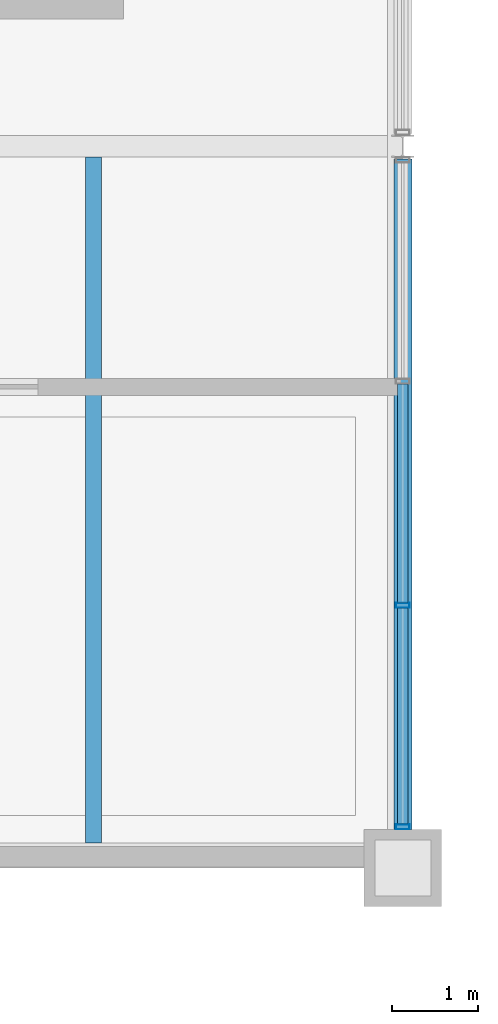
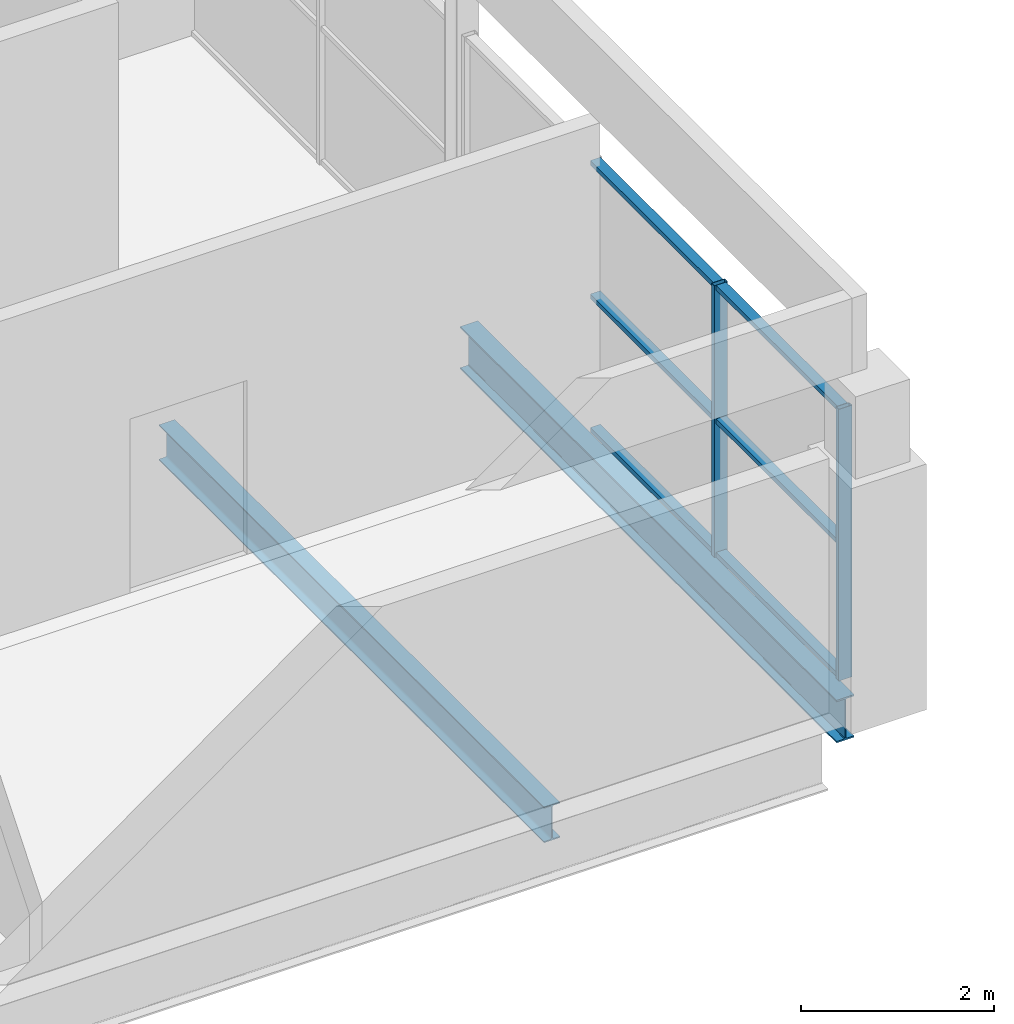
# One storey, part 25 of 43: 8 members, 2 beams, 1 element without a shape of its own.
"""IFC4 building model written with IfcOpenShell, lengths in metres."""

import ifcopenshell
import ifcopenshell.guid

model = None  # the IFC model being written
_history = None  # IfcOwnerHistory: only IFC2X3 demands one
_inside = {}  # id of a spatial element -> (the spatial element, [elements in it])
_under = {}  # id of a project, library or spatial element -> (it, [spatial elements below it])
_declared = {}  # id of a project -> (the project, [libraries it declares])
_typed = {}  # id of a type object -> (the type object, [elements of that type])
_made_of = {}  # id of a material, layer set ... -> (it, [elements and type objects made of it])


def new_model(schema):
    """Start an empty IFC model of exactly this schema.

    Asked for "IFC4X3", IfcOpenShell would pick the latest addendum, in which some entities
    have other attributes; the version numbers below select the first issue.
    IFC2X3 requires an IfcOwnerHistory on every rooted entity: one is made here for all.
    """
    global model, _history
    if schema == "IFC4X3":
        model = ifcopenshell.file(schema_version=(4, 3, 0, 0))
    else:
        model = ifcopenshell.file(schema=schema)
    _inside.clear()
    _under.clear()
    _declared.clear()
    _typed.clear()
    _made_of.clear()
    _history = None
    if model.schema == "IFC2X3":
        org = make("IfcOrganization", Name="unknown")
        user = make(
            "IfcPersonAndOrganization",
            ThePerson=make("IfcPerson", FamilyName="unknown"),
            TheOrganization=org,
        )
        app = make(
            "IfcApplication",
            ApplicationDeveloper=org,
            Version="unknown",
            ApplicationFullName="unknown",
            ApplicationIdentifier="unknown",
        )
        _history = make(
            "IfcOwnerHistory",
            OwningUser=user,
            OwningApplication=app,
            ChangeAction="ADDED",
            CreationDate=0,
        )
    return model


def make(cls, **values):
    """One entity of the class cls with the attributes given. An attribute that is None is left unset."""
    return model.create_entity(
        cls, **{name: value for name, value in values.items() if value is not None}
    )


def rooted(cls, **values):
    """An entity with a GlobalId (a new one), such as an element, a storey or a relation."""
    return make(cls, GlobalId=ifcopenshell.guid.new(), OwnerHistory=_history, **values)


def si_unit(unit_type, name, prefix=None):
    """IfcSIUnit, for example si_unit("LENGTHUNIT", "METRE", prefix="MILLI")."""
    return make("IfcSIUnit", UnitType=unit_type, Prefix=prefix, Name=name)


def assignment(units):
    """IfcUnitAssignment: the units of a project."""
    return None if units is None else make("IfcUnitAssignment", Units=units)


def point(xyz):
    """IfcCartesianPoint."""
    return None if xyz is None else make("IfcCartesianPoint", Coordinates=xyz)


def direction(xyz):
    """IfcDirection."""
    return None if xyz is None else make("IfcDirection", DirectionRatios=xyz)


def frame(location, z_axis=None, x_axis=None):
    """IfcAxis2Placement3D, a coordinate frame: its origin and axes. An axis left out is left unset."""
    return make(
        "IfcAxis2Placement3D",
        Location=point(location),
        Axis=direction(z_axis),
        RefDirection=direction(x_axis),
    )


def frame_2d(location, x_axis=None):
    """IfcAxis2Placement2D, a coordinate frame in the plane: its origin and x axis."""
    return make(
        "IfcAxis2Placement2D", Location=point(location), RefDirection=direction(x_axis)
    )


def origin():
    """The frame at (0, 0, 0) with its axes left unset."""
    return frame((0.0, 0.0, 0.0))


def origin_2d():
    """The frame at (0, 0) in the plane with its x axis left unset."""
    return frame_2d((0.0, 0.0))


def place(relative_to, where):
    """IfcLocalPlacement: puts the frame where relative to a parent placement (None: the world)."""
    return make(
        "IfcLocalPlacement", PlacementRelTo=relative_to, RelativePlacement=where
    )


def context(
    kind, dimensions, precision=None, world=None, true_north=None, identifier=None
):
    """IfcGeometricRepresentationContext, for example the 3D "Model" context."""
    return make(
        "IfcGeometricRepresentationContext",
        ContextIdentifier=identifier,
        ContextType=kind,
        CoordinateSpaceDimension=dimensions,
        Precision=precision,
        WorldCoordinateSystem=world,
        TrueNorth=true_north,
    )


def subcontext(parent, identifier, kind, view, scale=None):
    """IfcGeometricRepresentationSubContext, for example "Body" below "Model"."""
    return make(
        "IfcGeometricRepresentationSubContext",
        ContextIdentifier=identifier,
        ContextType=kind,
        ParentContext=parent,
        TargetScale=scale,
        TargetView=view,
    )


def project(units=None, contexts=None):
    """IfcProject with its units and contexts."""
    return rooted(
        "IfcProject",
        Name="project",
        RepresentationContexts=contexts,
        UnitsInContext=assignment(units),
    )


def spatial(cls, under=None, at=None, **own):
    """A site, building, storey or space (cls), placed at a placement, below another one or the project."""
    s = rooted(cls, ObjectPlacement=at, **own)
    if under is not None:
        _under.setdefault(under.id(), (under, []))[1].append(s)
    return s


def profile(cls, at=None, kind="AREA", **sizes):
    """A parametric profile (cls). Its sizes go by their IFC names, for example OverallWidth=200.0."""
    return make(cls, ProfileType=kind, Position=at, **sizes)


def hollow_rectangle(**sizes):
    """IfcRectangleHollowProfileDef."""
    return profile("IfcRectangleHollowProfileDef", **sizes)


def i_section(**sizes):
    """IfcIShapeProfileDef."""
    return profile("IfcIShapeProfileDef", **sizes)


def extrude(swept, where, along, depth):
    """IfcExtrudedAreaSolid: the profile swept, set in the frame where, extruded along a direction by depth."""
    return make(
        "IfcExtrudedAreaSolid",
        SweptArea=swept,
        Position=where,
        ExtrudedDirection=direction(along),
        Depth=depth,
    )


def shape(context_of_items, identifier, shape_type, items):
    """IfcShapeRepresentation: the items that make up one representation, for example the "Body"."""
    return make(
        "IfcShapeRepresentation",
        ContextOfItems=context_of_items,
        RepresentationIdentifier=identifier,
        RepresentationType=shape_type,
        Items=items,
    )


def material(Name=None, Category=None):
    """IfcMaterial."""
    return make("IfcMaterial", Name=Name, Category=Category)


def material_profile(
    of_material, cross_section, Name=None, Category=None, Priority=None
):
    """IfcMaterialProfile: a cross section and its material."""
    return make(
        "IfcMaterialProfile",
        Name=Name,
        Material=of_material,
        Profile=cross_section,
        Priority=Priority,
        Category=Category,
    )


def profile_set(profiles, Name=None, composite=None):
    """IfcMaterialProfileSet."""
    return make(
        "IfcMaterialProfileSet",
        Name=Name,
        MaterialProfiles=profiles,
        CompositeProfile=composite,
    )


def made_of(thing, what):
    """Note that an element or type object is made of a material, layer set ...; save() writes the relation."""
    if what is not None:
        _made_of.setdefault(what.id(), (what, []))[1].append(thing)
    return thing


def type_object(cls, material=None, **own):
    """A type object (cls), such as IfcWallType, which elements share."""
    return made_of(rooted(cls, **own), material)


def element(
    cls,
    number,
    at=None,
    inside=None,
    cuts=None,
    type_object=None,
    material=None,
    context=None,
    identifier="Body",
    shape_type=None,
    held_by="IfcProductDefinitionShape",
    body=None,
    shapes=None,
    **own,
):
    """One element of the class cls, such as IfcWall. Its Tag is "e" and its number.

    at: its placement. inside: the storey or other place that contains it. cuts: it is an
    opening in that element (IfcRelVoidsElement). A single representation is given by context,
    identifier, shape_type and body (its items); several are given by shapes. held_by: the class
    of the entity that holds the representations. save() writes the other relations.
    """
    e = rooted(cls, Tag="e%d" % number, ObjectPlacement=at, **own)
    if body is not None:
        shapes = [shape(context, identifier, shape_type, body)]
    if shapes is not None:
        e.Representation = make(held_by, Representations=shapes)
    if inside is not None:
        _inside.setdefault(inside.id(), (inside, []))[1].append(e)
    if cuts is not None:
        rooted(
            "IfcRelVoidsElement", RelatingBuildingElement=cuts, RelatedOpeningElement=e
        )
    if type_object is not None:
        _typed.setdefault(type_object.id(), (type_object, []))[1].append(e)
    return made_of(e, material)


def aggregate(whole, parts):
    """IfcRelAggregates: a whole, such as a stair, and the parts it consists of."""
    return rooted("IfcRelAggregates", RelatingObject=whole, RelatedObjects=parts)


def save(model, path):
    """Write the relations noted so far, then the file.

    IfcRelAggregates (storeys below a building ...), IfcRelContainedInSpatialStructure (elements
    in a storey), IfcRelDefinesByType, IfcRelAssociatesMaterial and IfcRelDeclares: one each for
    every whole, place, type object, material and project.
    """
    for whole, parts in _under.values():
        aggregate(whole, parts)
    for where, things in _inside.values():
        rooted(
            "IfcRelContainedInSpatialStructure",
            RelatedElements=things,
            RelatingStructure=where,
        )
    for kind, things in _typed.values():
        rooted("IfcRelDefinesByType", RelatedObjects=things, RelatingType=kind)
    for what, things in _made_of.values():
        rooted("IfcRelAssociatesMaterial", RelatedObjects=things, RelatingMaterial=what)
    for by, libraries in _declared.values():
        rooted("IfcRelDeclares", RelatingContext=by, RelatedDefinitions=libraries)
    model.write(path)


model = new_model("IFC4")

# Units and contexts
model_context = context("Model", 3, precision=1e-05, world=origin(), true_north=direction((0.0, 1.0)))
body_context = subcontext(model_context, "Body", "Model", "MODEL_VIEW")
ifc_project = project(units=[si_unit("LENGTHUNIT", "METRE"), si_unit("AREAUNIT", "SQUARE_METRE"), si_unit("VOLUMEUNIT", "CUBIC_METRE"), si_unit("PLANEANGLEUNIT", "RADIAN"), si_unit("MASSUNIT", "GRAM", prefix="KILO"), si_unit("THERMODYNAMICTEMPERATUREUNIT", "KELVIN")], contexts=[model_context])

# Site, building, storey
site_placement = place(None, origin())
site = spatial("IfcSite", under=ifc_project, at=site_placement, CompositionType="ELEMENT")
building_placement = place(site_placement, origin())
building = spatial("IfcBuilding", under=site, at=building_placement, Name="Nduvali Passage Aquatics Centre", CompositionType="ELEMENT")
storey_placement = place(building_placement, frame((0.0, 0.0, 17.39990234375)))
storey = spatial("IfcBuildingStorey", under=building, at=storey_placement, Name="L04", CompositionType="ELEMENT", Elevation=17.39990234375)

# Curtain wall, members
ifc_material_1 = material(Name="Aluminium EN AW-6063 T6", Category="aluminium")
curtain_wall_type = type_object("IfcCurtainWallType", Name="ENV-CW-PASS", PredefinedType="NOTDEFINED", material=ifc_material_1)
curtain_wall_placement = place(storey_placement, origin())
curtain_wall = element("IfcCurtainWall", 1, at=curtain_wall_placement, inside=storey, type_object=curtain_wall_type, Name="L04 East Passage Wellness CW 120", PredefinedType="NOTDEFINED")
ifc_material_profile_1 = material_profile(ifc_material_1, hollow_rectangle(XDim=0.06005859375, YDim=0.159912109375, WallThickness=0.00390625, at=origin_2d()), Name="ALU MULLION 60x160x4")
ifc_profile_set_1 = profile_set([ifc_material_profile_1], Name="Aluminium EN AW-6063 T6")
member_type_1 = type_object("IfcMemberType", Name="ENV-MEM-MUL60", PredefinedType="MULLION", material=ifc_profile_set_1)
member_1_placement = place(storey_placement, frame((126.0, 92.8798828125, 0.0), z_axis=(0.0, 0.0, 1.0), x_axis=(0.0, 1.0, 0.0)))
member_1 = element("IfcMember", 2, at=member_1_placement, type_object=member_type_1, Name="East Passage Wellness CW Mullion 1", PredefinedType="MULLION", context=body_context, shape_type="SweptSolid", body=[
    extrude(hollow_rectangle(XDim=0.06005859375, YDim=0.159912109375, WallThickness=0.00390625, at=origin_2d()), origin(), (0.0, 0.0, 1.0), 3.4365234375),
])
member_2_placement = place(storey_placement, frame((126.0, 95.456787109375, 0.0), z_axis=(0.0, 0.0, 1.0), x_axis=(0.0, 1.0, 0.0)))
member_2 = element("IfcMember", 3, at=member_2_placement, type_object=member_type_1, Name="East Passage Wellness CW Mullion 2", PredefinedType="MULLION", context=body_context, shape_type="SweptSolid", body=[
    extrude(hollow_rectangle(XDim=0.06005859375, YDim=0.159912109375, WallThickness=0.00390625, at=origin_2d()), origin(), (0.0, 0.0, 1.0), 3.4365234375),
])
ifc_material_profile_2 = material_profile(ifc_material_1, hollow_rectangle(XDim=0.1201171875, YDim=0.06005859375, WallThickness=0.00390625, at=origin_2d()), Name="ALU TRANSOM 120x60x4")
ifc_profile_set_2 = profile_set([ifc_material_profile_2], Name="Aluminium EN AW-6063 T6")
member_type_2 = type_object("IfcMemberType", Name="ENV-MEM-TRN60", PredefinedType="USERDEFINED", material=ifc_profile_set_2)
member_3_placement = place(storey_placement, frame((126.0, 92.909912109375, 0.030029296875), z_axis=(0.0, 1.0, 0.0), x_axis=(-1.0, 0.0, 0.0)))
member_3 = element("IfcMember", 4, at=member_3_placement, type_object=member_type_2, Name="East Passage Wellness CW Transom B1-R0", ObjectType="TRANSOM", PredefinedType="USERDEFINED", context=body_context, shape_type="SweptSolid", body=[
    extrude(hollow_rectangle(XDim=0.1201171875, YDim=0.06005859375, WallThickness=0.00390625, at=origin_2d()), origin(), (0.0, 0.0, 1.0), 2.516845703125),
])
member_4_placement = place(storey_placement, frame((126.0, 92.909912109375, 1.71826171875), z_axis=(0.0, 1.0, 0.0), x_axis=(-1.0, 0.0, 0.0)))
member_4 = element("IfcMember", 5, at=member_4_placement, type_object=member_type_2, Name="East Passage Wellness CW Transom B1-R1", ObjectType="TRANSOM", PredefinedType="USERDEFINED", context=body_context, shape_type="SweptSolid", body=[
    extrude(hollow_rectangle(XDim=0.1201171875, YDim=0.06005859375, WallThickness=0.00390625, at=origin_2d()), origin(), (0.0, 0.0, 1.0), 2.516845703125),
])
member_5_placement = place(storey_placement, frame((126.0, 92.909912109375, 3.406494140625), z_axis=(0.0, 1.0, 0.0), x_axis=(-1.0, 0.0, 0.0)))
member_5 = element("IfcMember", 6, at=member_5_placement, type_object=member_type_2, Name="East Passage Wellness CW Transom B1-R2", ObjectType="TRANSOM", PredefinedType="USERDEFINED", context=body_context, shape_type="SweptSolid", body=[
    extrude(hollow_rectangle(XDim=0.1201171875, YDim=0.06005859375, WallThickness=0.00390625, at=origin_2d()), origin(), (0.0, 0.0, 1.0), 2.516845703125),
])
member_6_placement = place(storey_placement, frame((126.0, 95.48681640625, 0.030029296875), z_axis=(0.0, 1.0, 0.0), x_axis=(-1.0, 0.0, 0.0)))
member_6 = element("IfcMember", 7, at=member_6_placement, type_object=member_type_2, Name="East Passage Wellness CW Transom B2-R0", ObjectType="TRANSOM", PredefinedType="USERDEFINED", context=body_context, shape_type="SweptSolid", body=[
    extrude(hollow_rectangle(XDim=0.1201171875, YDim=0.06005859375, WallThickness=0.00390625, at=origin_2d()), origin(), (0.0, 0.0, 1.0), 2.54638671875),
])
member_7_placement = place(storey_placement, frame((126.0, 95.48681640625, 1.71826171875), z_axis=(0.0, 1.0, 0.0), x_axis=(-1.0, 0.0, 0.0)))
member_7 = element("IfcMember", 8, at=member_7_placement, type_object=member_type_2, Name="East Passage Wellness CW Transom B2-R1", ObjectType="TRANSOM", PredefinedType="USERDEFINED", context=body_context, shape_type="SweptSolid", body=[
    extrude(hollow_rectangle(XDim=0.1201171875, YDim=0.06005859375, WallThickness=0.00390625, at=origin_2d()), origin(), (0.0, 0.0, 1.0), 2.54638671875),
])
member_8_placement = place(storey_placement, frame((126.0, 95.48681640625, 3.406494140625), z_axis=(0.0, 1.0, 0.0), x_axis=(-1.0, 0.0, 0.0)))
member_8 = element("IfcMember", 9, at=member_8_placement, type_object=member_type_2, Name="East Passage Wellness CW Transom B2-R2", ObjectType="TRANSOM", PredefinedType="USERDEFINED", context=body_context, shape_type="SweptSolid", body=[
    extrude(hollow_rectangle(XDim=0.1201171875, YDim=0.06005859375, WallThickness=0.00390625, at=origin_2d()), origin(), (0.0, 0.0, 1.0), 2.54638671875),
])
aggregate(curtain_wall, [member_1, member_2, member_3, member_4, member_5, member_6, member_7, member_8])

# Beams
ifc_material_2 = material(Name="Steel S355", Category="steel")
ifc_material_profile_3 = material_profile(ifc_material_2, i_section(OverallWidth=0.210693359375, OverallDepth=0.53955078125, WebThickness=0.01171875, FlangeThickness=0.018798828125, FilletRadius=0.0126953125, at=origin_2d()), Name="UKB 533x210x109")
ifc_profile_set_3 = profile_set([ifc_material_profile_3], Name="Steel S355")
beam_type_1 = type_object("IfcBeamType", Name="STR-BM-UKB533-EXT", PredefinedType="BEAM", material=ifc_profile_set_3)
beam_1_placement = place(storey_placement, frame((126.0, 92.85009765625, -0.503662109375), z_axis=(0.0, 1.0, 0.0), x_axis=(-1.0, 0.0, 0.0)))
element("IfcBeam", 10, at=beam_1_placement, inside=storey, type_object=beam_type_1, Name="L04 Primary Y-Girder B6E-1394", PredefinedType="BEAM", context=body_context, shape_type="SweptSolid", body=[
    extrude(i_section(OverallWidth=0.210693359375, OverallDepth=0.53955078125, WebThickness=0.01171875, FlangeThickness=0.018798828125, FilletRadius=0.0126953125, at=origin_2d()), origin(), (0.0, 0.0, 1.0), 7.7998046875),
])
ifc_material_profile_4 = material_profile(ifc_material_2, i_section(OverallWidth=0.18994140625, OverallDepth=0.449951171875, WebThickness=0.009521484375, FlangeThickness=0.0146484375, FilletRadius=0.02099609375, at=origin_2d()), Name="IPE 450")
ifc_profile_set_4 = profile_set([ifc_material_profile_4], Name="Steel S355")
beam_type_2 = type_object("IfcBeamType", Name="STR-JST-IPE450", PredefinedType="JOIST", material=ifc_profile_set_4)
beam_2_placement = place(storey_placement, frame((122.39990234375, 92.693359375, -0.458984375), z_axis=(0.0, 1.0, 0.0), x_axis=(-1.0, 0.0, 0.0)))
element("IfcBeam", 11, at=beam_2_placement, inside=storey, type_object=beam_type_2, Name="L04 Secondary Joist J5B-1417", PredefinedType="JOIST", context=body_context, shape_type="SweptSolid", body=[
    extrude(i_section(OverallWidth=0.18994140625, OverallDepth=0.449951171875, WebThickness=0.009521484375, FlangeThickness=0.0146484375, FilletRadius=0.02099609375, at=origin_2d()), origin(), (0.0, 0.0, 1.0), 7.979736328125),
])

save(model, "model.ifc")
